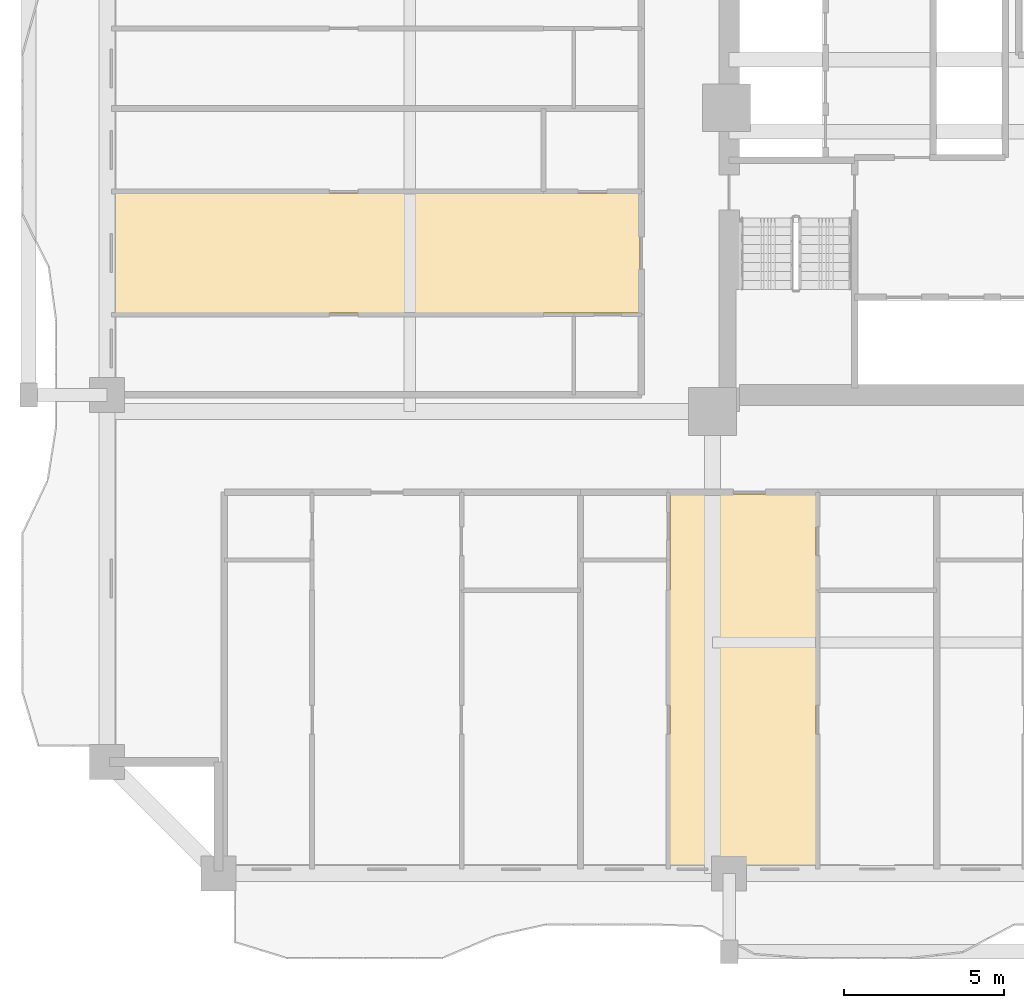
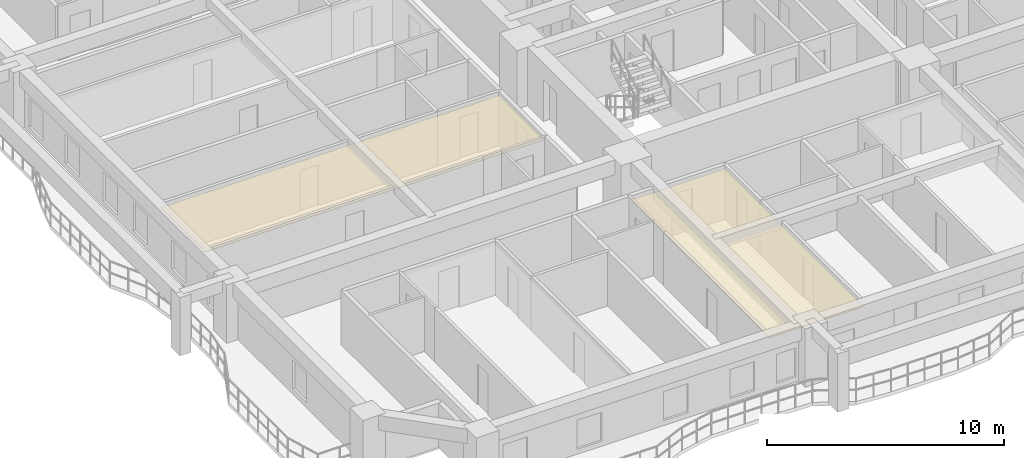
# One storey, part 11 of 16: 2 coverings.
"""IFC4 building model written with IfcOpenShell, lengths in metres."""

from ifc_helpers import new_model, si_unit, direction, frame, origin, place, context, subcontext, project, spatial, polyline, outline, extrude, material, layer, layer_set, type_object, element, save


model = new_model("IFC4")

# Units and contexts
model_context = context("Model", 3, precision=1e-05, world=origin(), true_north=direction((0.0, 1.0)))
body_context = subcontext(model_context, "Body", "Model", "MODEL_VIEW")
ifc_project = project(units=[si_unit("LENGTHUNIT", "METRE"), si_unit("AREAUNIT", "SQUARE_METRE"), si_unit("VOLUMEUNIT", "CUBIC_METRE"), si_unit("PLANEANGLEUNIT", "RADIAN"), si_unit("MASSUNIT", "GRAM", prefix="KILO")], contexts=[model_context])

# Site, building, storey
site_placement = place(None, origin())
site = spatial("IfcSite", under=ifc_project, at=site_placement, CompositionType="ELEMENT")
building_placement = place(site_placement, origin())
building = spatial("IfcBuilding", under=site, at=building_placement, Name="Saelheon Loggia Tower", CompositionType="ELEMENT")
storey_placement = place(building_placement, frame((0.0, 0.0, 64.39990234375)))
storey = spatial("IfcBuildingStorey", under=building, at=storey_placement, Name="L20", CompositionType="ELEMENT", Elevation=64.39990234375)

# Coverings
ifc_material = material(Name="Mineral-Fibre Acoustic Ceiling Board", Category="gypsum")
ifc_layer = layer(ifc_material, 0.02490234375)
ifc_layer_set = layer_set([ifc_layer], Name="Mineral-Fibre Acoustic Ceiling Board")
covering_type = type_object("IfcCoveringType", Name="Cov_Ceiling_Acoustic", PredefinedType="CEILING", material=ifc_layer_set)
covering_1_placement = place(storey_placement, frame((0.0, 0.0, 2.53515625)))
element("IfcCovering", 1, at=covering_1_placement, inside=storey, type_object=covering_type, Name="L20 Acoustic Suspended Ceiling", PredefinedType="CEILING", context=body_context, shape_type="SweptSolid", body=[
    extrude(outline(polyline([(29.639892578125, 3.199951171875), (34.227294921875, 3.199951171875), (34.227294921875, 14.89990234375), (29.639892578125, 14.89990234375), (29.639892578125, 3.199951171875)])), origin(), (0.0, 0.0, 1.0), 0.02490234375),
])
covering_2_placement = place(storey_placement, frame((0.0, 0.0, 2.53515625)))
element("IfcCovering", 2, at=covering_2_placement, inside=storey, type_object=covering_type, Name="L20 Acoustic Suspended Ceiling", PredefinedType="CEILING", context=body_context, shape_type="SweptSolid", body=[
    extrude(outline(polyline([(12.199951171875, 20.56298828125), (28.699951171875, 20.56298828125), (28.699951171875, 24.324951171875), (12.199951171875, 24.324951171875), (12.199951171875, 20.56298828125)])), origin(), (0.0, 0.0, 1.0), 0.02490234375),
])

save(model, "model.ifc")
